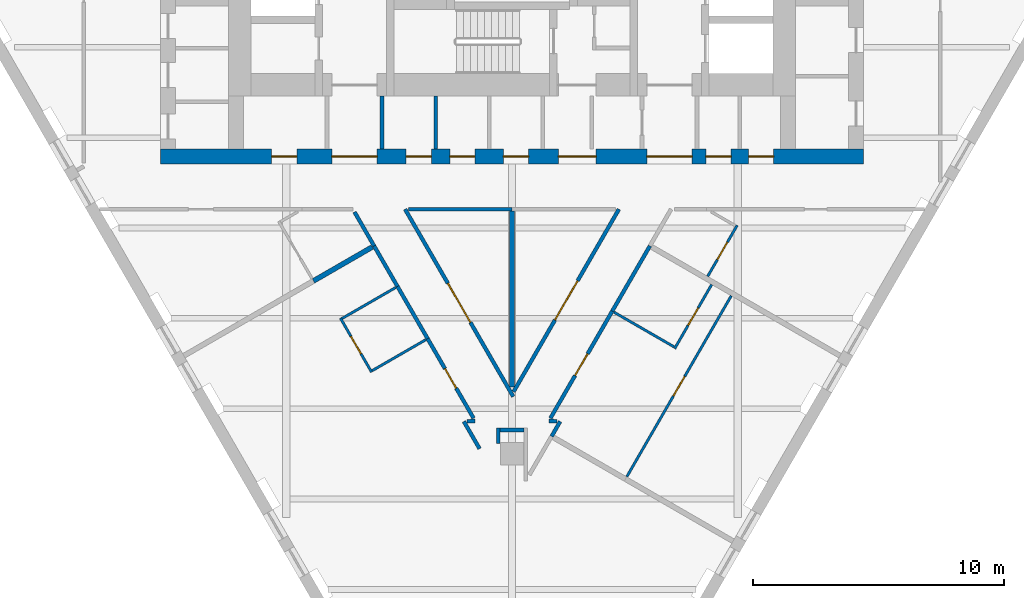
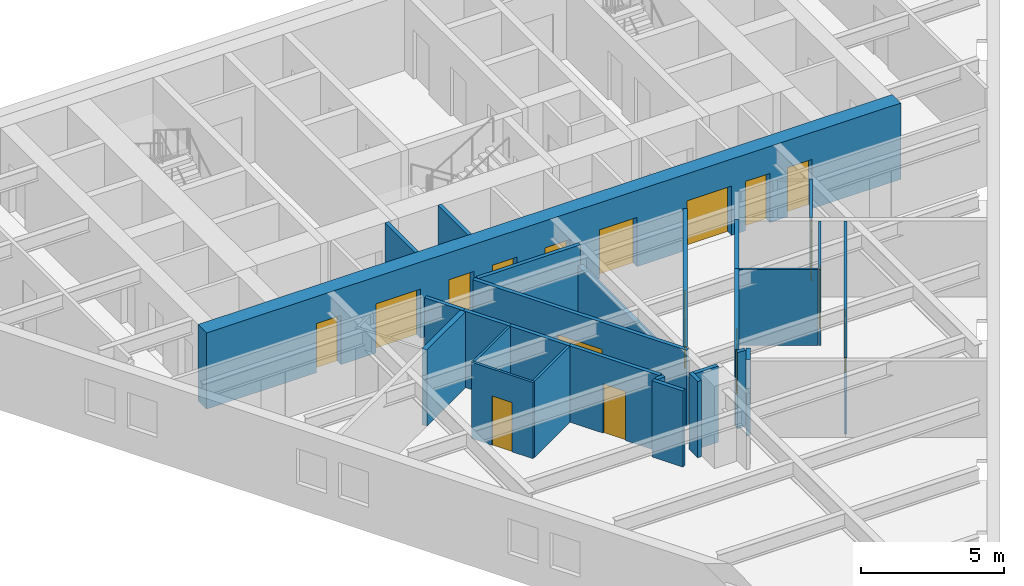
# One storey, part 3 of 9: 27 walls, 17 doors, 17 openings.
"""IFC4 building model written with IfcOpenShell, lengths in metres."""

from ifc_helpers import new_model, si_unit, direction, frame, frame_2d, origin, place, context, subcontext, project, spatial, rectangle, extrude, material, layer, layer_set, type_object, element, fill, save


model = new_model("IFC4")

# Units and contexts
model_context = context("Model", 3, precision=1e-05, world=origin(), true_north=direction((0.0, 1.0)))
body_context = subcontext(model_context, "Body", "Model", "MODEL_VIEW")
ifc_project = project(units=[si_unit("LENGTHUNIT", "METRE"), si_unit("AREAUNIT", "SQUARE_METRE"), si_unit("VOLUMEUNIT", "CUBIC_METRE"), si_unit("PLANEANGLEUNIT", "RADIAN"), si_unit("MASSUNIT", "GRAM", prefix="KILO")], contexts=[model_context])

# Site, building, storey
site_placement = place(None, origin())
site = spatial("IfcSite", under=ifc_project, at=site_placement, CompositionType="ELEMENT")
building_placement = place(site_placement, origin())
building = spatial("IfcBuilding", under=site, at=building_placement, Name="Aloe Facet Convention Tower", CompositionType="ELEMENT")
storey_placement = place(building_placement, frame((0.0, 0.0, 120.300048828125)))
storey = spatial("IfcBuildingStorey", under=building, at=storey_placement, Name="L30", CompositionType="ELEMENT", Elevation=120.300048828125)

# Walls
ifc_material_1 = material(Name="Concrete blockwork partition", Category="masonry")
ifc_layer_1 = layer(ifc_material_1, 0.14990234375)
ifc_layer_set_1 = layer_set([ifc_layer_1], Name="CR-W-PART150")
wall_type_1 = type_object("IfcWallType", Name="CR-W-PART150", PredefinedType="PARTITIONING", material=ifc_layer_set_1)
for number, where, z_axis, x_axis, name in (
    (1, (74.824951171875, 122.25, 0.0), (0.0, 0.0, 1.0), (0.0, -1.0, 0.0), "Core partition L30-018"),
    (2, (76.958251953125, 122.25, 0.0), (0.0, 0.0, 1.0), (0.0, -1.0, 0.0), "Core partition L30-024"),
):
    element("IfcWall", number, at=place(storey_placement, frame(where, z_axis=z_axis, x_axis=x_axis)), inside=storey, type_object=wall_type_1, Name=name, PredefinedType="PARTITIONING", context=body_context, shape_type="SweptSolid", body=[
        extrude(rectangle(XDim=2.10009765625, YDim=0.14990234375, at=frame_2d((1.050048828125, 0.0))), origin(), (0.0, 0.0, 1.0), 3.25),
    ])

# Wall, openings, doors
ifc_material_2 = material(Name="Concrete C70/85", Category="concrete")
ifc_layer_2 = layer(ifc_material_2, 0.60009765625)
ifc_layer_set_2 = layer_set([ifc_layer_2], Name="CR-W-RC600-C7085")
wall_type_2 = type_object("IfcWallType", Name="CR-W-RC600-C7085", PredefinedType="SOLIDWALL", material=ifc_layer_set_2)
wall_1_placement = place(storey_placement, frame((66.0, 119.85009765625, 0.0), z_axis=(0.0, 0.0, 1.0), x_axis=(1.0, 0.0, 0.0)))
wall_1 = element("IfcWall", 3, at=wall_1_placement, inside=storey, type_object=wall_type_2, Name="Core wall L30-003", PredefinedType="SOLIDWALL", context=body_context, shape_type="SweptSolid", body=[
    extrude(rectangle(XDim=28.0, YDim=0.60009765625, at=frame_2d((14.0, 0.0))), origin(), (0.0, 0.0, 1.0), 3.25),
])
opening_1_placement = place(wall_1_placement, frame((6.824951171875, 0.0, 0.0)))
opening_1 = element("IfcOpeningElement", 4, at=opening_1_placement, cuts=wall_1, Name="Opening L30-CD16", PredefinedType="OPENING", context=body_context, shape_type="SweptSolid", body=[
    extrude(rectangle(XDim=1.800048828125, YDim=2.10009765625, at=frame_2d((0.89990234375, 1.050048828125))), frame((0.0, 0.31005859375, 0.0), z_axis=(0.0, -1.0, 0.0), x_axis=(1.0, 0.0, 0.0)), (0.0, 0.0, 1.0), 0.6201171875),
])
opening_2_placement = place(wall_1_placement, frame((15.85009765625, 0.0, 0.0)))
opening_2 = element("IfcOpeningElement", 5, at=opening_2_placement, cuts=wall_1, Name="Opening L30-CD17", PredefinedType="OPENING", context=body_context, shape_type="SweptSolid", body=[
    extrude(rectangle(XDim=1.5, YDim=2.10009765625, at=frame_2d((0.75, 1.050048828125))), frame((0.0, 0.31005859375, 0.0), z_axis=(0.0, -1.0, 0.0), x_axis=(1.0, 0.0, 0.0)), (0.0, 0.0, 1.0), 0.6201171875),
])
opening_3_placement = place(wall_1_placement, frame((19.375, 0.0, 0.0)))
opening_3 = element("IfcOpeningElement", 6, at=opening_3_placement, cuts=wall_1, Name="Opening L30-CD18", PredefinedType="OPENING", context=body_context, shape_type="SweptSolid", body=[
    extrude(rectangle(XDim=1.800048828125, YDim=2.10009765625, at=frame_2d((0.89990234375, 1.050048828125))), frame((0.0, 0.31005859375, 0.0), z_axis=(0.0, -1.0, 0.0), x_axis=(1.0, 0.0, 0.0)), (0.0, 0.0, 1.0), 0.6201171875),
])
opening_4_placement = place(wall_1_placement, frame((4.425048828125, 0.0, 0.0)))
opening_4 = element("IfcOpeningElement", 7, at=opening_4_placement, cuts=wall_1, Name="Opening L30-CD23", PredefinedType="OPENING", context=body_context, shape_type="SweptSolid", body=[
    extrude(rectangle(XDim=1.0, YDim=2.10009765625, at=frame_2d((0.5, 1.050048828125))), frame((0.0, 0.31005859375, 0.0), z_axis=(0.0, -1.0, 0.0), x_axis=(1.0, 0.0, 0.0)), (0.0, 0.0, 1.0), 0.6201171875),
])
opening_5_placement = place(wall_1_placement, frame((9.783203125, 0.0, 0.0)))
opening_5 = element("IfcOpeningElement", 8, at=opening_5_placement, cuts=wall_1, Name="Opening L30-CD24", PredefinedType="OPENING", context=body_context, shape_type="SweptSolid", body=[
    extrude(rectangle(XDim=1.0, YDim=2.10009765625, at=frame_2d((0.5, 1.050048828125))), frame((0.0, 0.31005859375, 0.0), z_axis=(0.0, -1.0, 0.0), x_axis=(1.0, 0.0, 0.0)), (0.0, 0.0, 1.0), 0.6201171875),
])
opening_6_placement = place(wall_1_placement, frame((11.52490234375, 0.0, 0.0)))
opening_6 = element("IfcOpeningElement", 9, at=opening_6_placement, cuts=wall_1, Name="Opening L30-CD25", PredefinedType="OPENING", context=body_context, shape_type="SweptSolid", body=[
    extrude(rectangle(XDim=1.0, YDim=2.10009765625, at=frame_2d((0.5, 1.050048828125))), frame((0.0, 0.31005859375, 0.0), z_axis=(0.0, -1.0, 0.0), x_axis=(1.0, 0.0, 0.0)), (0.0, 0.0, 1.0), 0.6201171875),
])
opening_7_placement = place(wall_1_placement, frame((13.658203125, 0.0, 0.0)))
opening_7 = element("IfcOpeningElement", 10, at=opening_7_placement, cuts=wall_1, Name="Opening L30-CD26", PredefinedType="OPENING", context=body_context, shape_type="SweptSolid", body=[
    extrude(rectangle(XDim=1.0, YDim=2.10009765625, at=frame_2d((0.5, 1.050048828125))), frame((0.0, 0.31005859375, 0.0), z_axis=(0.0, -1.0, 0.0), x_axis=(1.0, 0.0, 0.0)), (0.0, 0.0, 1.0), 0.6201171875),
])
opening_8_placement = place(wall_1_placement, frame((21.72509765625, 0.0, 0.0)))
opening_8 = element("IfcOpeningElement", 11, at=opening_8_placement, cuts=wall_1, Name="Opening L30-CD28", PredefinedType="OPENING", context=body_context, shape_type="SweptSolid", body=[
    extrude(rectangle(XDim=1.0, YDim=2.10009765625, at=frame_2d((0.5, 1.050048828125))), frame((0.0, 0.31005859375, 0.0), z_axis=(0.0, -1.0, 0.0), x_axis=(1.0, 0.0, 0.0)), (0.0, 0.0, 1.0), 0.6201171875),
])
opening_9_placement = place(wall_1_placement, frame((23.425048828125, 0.0, 0.0)))
opening_9 = element("IfcOpeningElement", 12, at=opening_9_placement, cuts=wall_1, Name="Opening L30-CD29", PredefinedType="OPENING", context=body_context, shape_type="SweptSolid", body=[
    extrude(rectangle(XDim=1.0, YDim=2.10009765625, at=frame_2d((0.5, 1.050048828125))), frame((0.0, 0.31005859375, 0.0), z_axis=(0.0, -1.0, 0.0), x_axis=(1.0, 0.0, 0.0)), (0.0, 0.0, 1.0), 0.6201171875),
])
ifc_material_3 = material(Name="Steel fire-resisting door set FD60", Category="steel")
door_type_1 = type_object("IfcDoorType", Name="CR-D-EXIT-1500-FD60-DD", OperationType="DOUBLE_DOOR_DOUBLE_SWING", PredefinedType="DOOR", material=ifc_material_3)
door_1_placement = place(opening_2_placement, origin())
door_1 = element("IfcDoor", 13, at=door_1_placement, inside=storey, type_object=door_type_1, Name="Core door L30-CD17", OperationType="DOUBLE_DOOR_DOUBLE_SWING", OverallHeight=2.10009765625, OverallWidth=1.5, PredefinedType="DOOR", context=body_context, shape_type="SweptSolid", body=[
    extrude(rectangle(XDim=1.5, YDim=2.10009765625, at=frame_2d((0.75, 1.050048828125))), frame((0.0, 0.02490234375, 0.0), z_axis=(0.0, -1.0, 0.0), x_axis=(1.0, 0.0, 0.0)), (0.0, 0.0, 1.0), 0.050048828125),
])
fill(opening_2, door_1)
ifc_material_4 = material(Name="Steel fire-resisting door set FD60", Category="steel")
door_type_2 = type_object("IfcDoorType", Name="CR-D-EXIT-1800-FD60-DD", OperationType="DOUBLE_DOOR_DOUBLE_SWING", PredefinedType="DOOR", material=ifc_material_4)
door_2_placement = place(opening_1_placement, origin())
door_2 = element("IfcDoor", 14, at=door_2_placement, inside=storey, type_object=door_type_2, Name="Core door L30-CD16", OperationType="DOUBLE_DOOR_DOUBLE_SWING", OverallHeight=2.10009765625, OverallWidth=1.800048828125, PredefinedType="DOOR", context=body_context, shape_type="SweptSolid", body=[
    extrude(rectangle(XDim=1.800048828125, YDim=2.10009765625, at=frame_2d((0.89990234375, 1.050048828125))), frame((0.0, 0.02490234375, 0.0), z_axis=(0.0, -1.0, 0.0), x_axis=(1.0, 0.0, 0.0)), (0.0, 0.0, 1.0), 0.050048828125),
])
fill(opening_1, door_2)
door_3_placement = place(opening_3_placement, origin())
door_3 = element("IfcDoor", 15, at=door_3_placement, inside=storey, type_object=door_type_2, Name="Core door L30-CD18", OperationType="DOUBLE_DOOR_DOUBLE_SWING", OverallHeight=2.10009765625, OverallWidth=1.800048828125, PredefinedType="DOOR", context=body_context, shape_type="SweptSolid", body=[
    extrude(rectangle(XDim=1.800048828125, YDim=2.10009765625, at=frame_2d((0.89990234375, 1.050048828125))), frame((0.0, 0.02490234375, 0.0), z_axis=(0.0, -1.0, 0.0), x_axis=(1.0, 0.0, 0.0)), (0.0, 0.0, 1.0), 0.050048828125),
])
fill(opening_3, door_3)
ifc_material_5 = material(Name="Steel fire-resisting door set FD60", Category="steel")
door_type_3 = type_object("IfcDoorType", Name="CR-D-ROOM-1000-FD60-SRIGHT", OperationType="SINGLE_SWING_RIGHT", PredefinedType="DOOR", material=ifc_material_5)
door_4_placement = place(opening_4_placement, origin())
door_4 = element("IfcDoor", 16, at=door_4_placement, inside=storey, type_object=door_type_3, Name="Core door L30-CD23", OperationType="SINGLE_SWING_RIGHT", OverallHeight=2.10009765625, OverallWidth=1.0, PredefinedType="DOOR", context=body_context, shape_type="SweptSolid", body=[
    extrude(rectangle(XDim=1.0, YDim=2.10009765625, at=frame_2d((0.5, 1.050048828125))), frame((0.0, 0.02490234375, 0.0), z_axis=(0.0, -1.0, 0.0), x_axis=(1.0, 0.0, 0.0)), (0.0, 0.0, 1.0), 0.050048828125),
])
fill(opening_4, door_4)
door_5_placement = place(opening_5_placement, origin())
door_5 = element("IfcDoor", 17, at=door_5_placement, inside=storey, type_object=door_type_3, Name="Core door L30-CD24", OperationType="SINGLE_SWING_RIGHT", OverallHeight=2.10009765625, OverallWidth=1.0, PredefinedType="DOOR", context=body_context, shape_type="SweptSolid", body=[
    extrude(rectangle(XDim=1.0, YDim=2.10009765625, at=frame_2d((0.5, 1.050048828125))), frame((0.0, 0.02490234375, 0.0), z_axis=(0.0, -1.0, 0.0), x_axis=(1.0, 0.0, 0.0)), (0.0, 0.0, 1.0), 0.050048828125),
])
fill(opening_5, door_5)
door_6_placement = place(opening_6_placement, origin())
door_6 = element("IfcDoor", 18, at=door_6_placement, inside=storey, type_object=door_type_3, Name="Core door L30-CD25", OperationType="SINGLE_SWING_RIGHT", OverallHeight=2.10009765625, OverallWidth=1.0, PredefinedType="DOOR", context=body_context, shape_type="SweptSolid", body=[
    extrude(rectangle(XDim=1.0, YDim=2.10009765625, at=frame_2d((0.5, 1.050048828125))), frame((0.0, 0.02490234375, 0.0), z_axis=(0.0, -1.0, 0.0), x_axis=(1.0, 0.0, 0.0)), (0.0, 0.0, 1.0), 0.050048828125),
])
fill(opening_6, door_6)
door_7_placement = place(opening_7_placement, origin())
door_7 = element("IfcDoor", 19, at=door_7_placement, inside=storey, type_object=door_type_3, Name="Core door L30-CD26", OperationType="SINGLE_SWING_RIGHT", OverallHeight=2.10009765625, OverallWidth=1.0, PredefinedType="DOOR", context=body_context, shape_type="SweptSolid", body=[
    extrude(rectangle(XDim=1.0, YDim=2.10009765625, at=frame_2d((0.5, 1.050048828125))), frame((0.0, 0.02490234375, 0.0), z_axis=(0.0, -1.0, 0.0), x_axis=(1.0, 0.0, 0.0)), (0.0, 0.0, 1.0), 0.050048828125),
])
fill(opening_7, door_7)
door_8_placement = place(opening_8_placement, origin())
door_8 = element("IfcDoor", 20, at=door_8_placement, inside=storey, type_object=door_type_3, Name="Core door L30-CD28", OperationType="SINGLE_SWING_RIGHT", OverallHeight=2.10009765625, OverallWidth=1.0, PredefinedType="DOOR", context=body_context, shape_type="SweptSolid", body=[
    extrude(rectangle(XDim=1.0, YDim=2.10009765625, at=frame_2d((0.5, 1.050048828125))), frame((0.0, 0.02490234375, 0.0), z_axis=(0.0, -1.0, 0.0), x_axis=(1.0, 0.0, 0.0)), (0.0, 0.0, 1.0), 0.050048828125),
])
fill(opening_8, door_8)
door_9_placement = place(opening_9_placement, origin())
door_9 = element("IfcDoor", 21, at=door_9_placement, inside=storey, type_object=door_type_3, Name="Core door L30-CD29", OperationType="SINGLE_SWING_RIGHT", OverallHeight=2.10009765625, OverallWidth=1.0, PredefinedType="DOOR", context=body_context, shape_type="SweptSolid", body=[
    extrude(rectangle(XDim=1.0, YDim=2.10009765625, at=frame_2d((0.5, 1.050048828125))), frame((0.0, 0.02490234375, 0.0), z_axis=(0.0, -1.0, 0.0), x_axis=(1.0, 0.0, 0.0)), (0.0, 0.0, 1.0), 0.050048828125),
])
fill(opening_9, door_9)

# Walls
ifc_material_6 = material(Name="Gypsum board partition on steel studs", Category="steel")
ifc_layer_3 = layer(ifc_material_6, 0.14990234375)
ifc_layer_set_3 = layer_set([ifc_layer_3], Name="IN-W-CORR")
wall_type_3 = type_object("IfcWallType", Name="IN-W-CORR", PredefinedType="PARTITIONING", material=ifc_layer_set_3)
wall_2_placement = place(storey_placement, frame((78.081787109375, 109.29296875, 0.0), z_axis=(0.0, 0.0, 1.0), x_axis=(0.500020799843, -0.866013394656, 0.0)))
element("IfcWall", 22, at=wall_2_placement, inside=storey, type_object=wall_type_3, Name="Partition L30-W004", PredefinedType="PARTITIONING", context=body_context, shape_type="SweptSolid", body=[
    extrude(rectangle(XDim=1.25146484375, YDim=0.14990234375, at=frame_2d((0.625732421875, 0.0))), origin(), (0.0, 0.0, 1.0), 3.25),
])
wall_3_placement = place(storey_placement, frame((81.576416015625, 108.69873046875, 0.0), z_axis=(0.0, 0.0, 1.0), x_axis=(0.499845467243, 0.866114604932, 0.0)))
element("IfcWall", 23, at=wall_3_placement, inside=storey, type_object=wall_type_3, Name="Partition L30-W006", PredefinedType="PARTITIONING", context=body_context, shape_type="SweptSolid", body=[
    extrude(rectangle(XDim=0.687255859375, YDim=0.14990234375, at=frame_2d((0.34375, 0.0))), origin(), (0.0, 0.0, 1.0), 3.25),
])
wall_4_placement = place(storey_placement, frame((79.449951171875, 108.408203125, 0.0), z_axis=(0.0, 0.0, 1.0), x_axis=(0.0, 1.0, 0.0)))
element("IfcWall", 24, at=wall_4_placement, inside=storey, type_object=wall_type_3, Name="Partition L30-W007", PredefinedType="PARTITIONING", context=body_context, shape_type="SweptSolid", body=[
    extrude(rectangle(XDim=0.61669921875, YDim=0.14990234375, at=frame_2d((0.308349609375, 0.0))), origin(), (0.0, 0.0, 1.0), 3.25),
])
wall_5_placement = place(storey_placement, frame((79.52490234375, 108.949951171875, 0.0), z_axis=(0.0, 0.0, 1.0), x_axis=(1.0, 0.0, 0.0)))
element("IfcWall", 25, at=wall_5_placement, inside=storey, type_object=wall_type_3, Name="Partition L30-W008", PredefinedType="PARTITIONING", context=body_context, shape_type="SweptSolid", body=[
    extrude(rectangle(XDim=0.9501953125, YDim=0.14990234375, at=frame_2d((0.47509765625, 0.0))), origin(), (0.0, 0.0, 1.0), 3.25),
])
wall_6_placement = place(storey_placement, frame((78.20458984375, 109.298828125, 0.0), z_axis=(0.0, 0.0, 1.0), x_axis=(0.998783807783, 0.049304211903, 0.0)))
element("IfcWall", 26, at=wall_6_placement, inside=storey, type_object=wall_type_3, Name="Partition L30-W009", PredefinedType="PARTITIONING", context=body_context, shape_type="SweptSolid", body=[
    extrude(rectangle(XDim=0.326904296875, YDim=0.14990234375, at=frame_2d((0.16357421875, 0.0))), origin(), (0.0, 0.0, 1.0), 3.25),
])
wall_7_placement = place(storey_placement, frame((81.469482421875, 109.31591796875, 0.0), z_axis=(0.0, 0.0, 1.0), x_axis=(0.998792837062, -0.0491209592, 0.0)))
element("IfcWall", 27, at=wall_7_placement, inside=storey, type_object=wall_type_3, Name="Partition L30-W010", PredefinedType="PARTITIONING", context=body_context, shape_type="SweptSolid", body=[
    extrude(rectangle(XDim=0.328125, YDim=0.14990234375, at=frame_2d((0.1640625, 0.0))), origin(), (0.0, 0.0, 1.0), 3.25),
])

# Wall, opening, door
wall_8_placement = place(storey_placement, frame((76.63916015625, 112.591552734375, 0.0), z_axis=(0.0, 0.0, 1.0), x_axis=(0.500005339912, -0.866022320763, 0.0)))
wall_8 = element("IfcWall", 28, at=wall_8_placement, inside=storey, type_object=wall_type_3, Name="Partition L30-W011", PredefinedType="PARTITIONING", context=body_context, shape_type="SweptSolid", body=[
    extrude(rectangle(XDim=3.66064453125, YDim=0.14990234375, at=frame_2d((1.830322265625, 0.0))), origin(), (0.0, 0.0, 1.0), 3.25),
])
opening_10_placement = place(wall_8_placement, frame((1.38037109375, 0.0, 0.0)))
opening_10 = element("IfcOpeningElement", 29, at=opening_10_placement, cuts=wall_8, Name="Opening L30-003", PredefinedType="OPENING", context=body_context, shape_type="SweptSolid", body=[
    extrude(rectangle(XDim=0.89990234375, YDim=2.10009765625, at=frame_2d((0.449951171875, 1.050048828125))), frame((0.0, 0.0849609375, 0.0), z_axis=(0.0, -1.0, 0.0), x_axis=(1.0, 0.0, 0.0)), (0.0, 0.0, 1.0), 0.169921875),
])
ifc_material_7 = material(Name="Hardwood flush door FD30S", Category="wood")
door_type_4 = type_object("IfcDoorType", Name="IN-D-GUEST", OperationType="SINGLE_SWING_LEFT", PredefinedType="DOOR", material=ifc_material_7)
door_10_placement = place(opening_10_placement, origin())
door_10 = element("IfcDoor", 30, at=door_10_placement, inside=storey, type_object=door_type_4, Name="Door L30-003", OperationType="SINGLE_SWING_LEFT", OverallHeight=2.10009765625, OverallWidth=0.89990234375, PredefinedType="DOOR", context=body_context, shape_type="SweptSolid", body=[
    extrude(rectangle(XDim=0.89990234375, YDim=2.10009765625, at=frame_2d((0.449951171875, 1.050048828125))), frame((0.0, 0.02490234375, 0.0), z_axis=(0.0, -1.0, 0.0), x_axis=(1.0, 0.0, 0.0)), (0.0, 0.0, 1.0), 0.050048828125),
])
fill(opening_10, door_10)

wall_9_placement = place(storey_placement, frame((81.531005859375, 109.42236328125, 0.0), z_axis=(0.0, 0.0, 1.0), x_axis=(0.500009969958, 0.86601964755, 0.0)))
wall_9 = element("IfcWall", 31, at=wall_9_placement, inside=storey, type_object=wall_type_3, Name="Partition L30-W012", PredefinedType="PARTITIONING", context=body_context, shape_type="SweptSolid", body=[
    extrude(rectangle(XDim=4.9248046875, YDim=0.14990234375, at=frame_2d((2.46240234375, 0.0))), origin(), (0.0, 0.0, 1.0), 3.25),
])
opening_11_placement = place(wall_9_placement, frame((1.96240234375, 0.0, 0.0)))
opening_11 = element("IfcOpeningElement", 32, at=opening_11_placement, cuts=wall_9, Name="Opening L30-008", PredefinedType="OPENING", context=body_context, shape_type="SweptSolid", body=[
    extrude(rectangle(XDim=1.0, YDim=2.10009765625, at=frame_2d((0.5, 1.050048828125))), frame((0.0, 0.0849609375, 0.0), z_axis=(0.0, -1.0, 0.0), x_axis=(1.0, 0.0, 0.0)), (0.0, 0.0, 1.0), 0.169921875),
])
ifc_material_8 = material(Name="Hardwood flush door FD30S", Category="wood")
door_type_5 = type_object("IfcDoorType", Name="IN-D-WIDE", OperationType="SINGLE_SWING_LEFT", PredefinedType="DOOR", material=ifc_material_8)
door_11_placement = place(opening_11_placement, origin())
door_11 = element("IfcDoor", 33, at=door_11_placement, inside=storey, type_object=door_type_5, Name="Door L30-008", OperationType="SINGLE_SWING_LEFT", OverallHeight=2.10009765625, OverallWidth=1.0, PredefinedType="DOOR", context=body_context, shape_type="SweptSolid", body=[
    extrude(rectangle(XDim=1.0, YDim=2.10009765625, at=frame_2d((0.5, 1.050048828125))), frame((0.0, 0.02490234375, 0.0), z_axis=(0.0, -1.0, 0.0), x_axis=(1.0, 0.0, 0.0)), (0.0, 0.0, 1.0), 0.050048828125),
])
fill(opening_11, door_11)

wall_10_placement = place(storey_placement, frame((75.739501953125, 117.75, 0.0), z_axis=(0.0, 0.0, 1.0), x_axis=(0.500001092079, -0.866024773271, 0.0)))
wall_10 = element("IfcWall", 34, at=wall_10_placement, inside=storey, type_object=wall_type_3, Name="Partition L30-W013", PredefinedType="PARTITIONING", context=body_context, shape_type="SweptSolid", body=[
    extrude(rectangle(XDim=8.62109375, YDim=0.14990234375, at=frame_2d((4.310546875, 0.0))), origin(), (0.0, 0.0, 1.0), 3.25),
])
opening_12_placement = place(wall_10_placement, frame((3.41064453125, 0.0, 0.0)))
opening_12 = element("IfcOpeningElement", 35, at=opening_12_placement, cuts=wall_10, Name="Opening L30-006", PredefinedType="OPENING", context=body_context, shape_type="SweptSolid", body=[
    extrude(rectangle(XDim=1.800048828125, YDim=2.10009765625, at=frame_2d((0.89990234375, 1.050048828125))), frame((0.0, 0.0849609375, 0.0), z_axis=(0.0, -1.0, 0.0), x_axis=(1.0, 0.0, 0.0)), (0.0, 0.0, 1.0), 0.169921875),
])
ifc_material_9 = material(Name="Timber flush door pair", Category="wood")
door_type_6 = type_object("IfcDoorType", Name="IN-D-PAIR-U", OperationType="DOUBLE_DOOR_SINGLE_SWING", PredefinedType="DOOR", material=ifc_material_9)
door_12_placement = place(opening_12_placement, origin())
door_12 = element("IfcDoor", 36, at=door_12_placement, inside=storey, type_object=door_type_6, Name="Door L30-006", OperationType="SINGLE_SWING_LEFT", OverallHeight=2.10009765625, OverallWidth=1.800048828125, PredefinedType="DOOR", context=body_context, shape_type="SweptSolid", body=[
    extrude(rectangle(XDim=1.800048828125, YDim=2.10009765625, at=frame_2d((0.89990234375, 1.050048828125))), frame((0.0, 0.02490234375, 0.0), z_axis=(0.0, -1.0, 0.0), x_axis=(1.0, 0.0, 0.0)), (0.0, 0.0, 1.0), 0.050048828125),
])
fill(opening_12, door_12)

wall_11_placement = place(storey_placement, frame((80.0625, 110.478759765625, 0.0), z_axis=(0.0, 0.0, 1.0), x_axis=(0.49999513524, 0.866028212437, 0.0)))
wall_11 = element("IfcWall", 37, at=wall_11_placement, inside=storey, type_object=wall_type_3, Name="Partition L30-W015", PredefinedType="PARTITIONING", context=body_context, shape_type="SweptSolid", body=[
    extrude(rectangle(XDim=8.39599609375, YDim=0.14990234375, at=frame_2d((4.197998046875, 0.0))), origin(), (0.0, 0.0, 1.0), 3.25),
])
opening_13_placement = place(wall_11_placement, frame((3.298095703125, 0.0, 0.0)))
opening_13 = element("IfcOpeningElement", 38, at=opening_13_placement, cuts=wall_11, Name="Opening L30-007", PredefinedType="OPENING", context=body_context, shape_type="SweptSolid", body=[
    extrude(rectangle(XDim=1.800048828125, YDim=2.10009765625, at=frame_2d((0.89990234375, 1.050048828125))), frame((0.0, 0.0849609375, 0.0), z_axis=(0.0, -1.0, 0.0), x_axis=(1.0, 0.0, 0.0)), (0.0, 0.0, 1.0), 0.169921875),
])
door_13_placement = place(opening_13_placement, origin())
door_13 = element("IfcDoor", 39, at=door_13_placement, inside=storey, type_object=door_type_6, Name="Door L30-007", OperationType="SINGLE_SWING_LEFT", OverallHeight=2.10009765625, OverallWidth=1.800048828125, PredefinedType="DOOR", context=body_context, shape_type="SweptSolid", body=[
    extrude(rectangle(XDim=1.800048828125, YDim=2.10009765625, at=frame_2d((0.89990234375, 1.050048828125))), frame((0.0, 0.02490234375, 0.0), z_axis=(0.0, -1.0, 0.0), x_axis=(1.0, 0.0, 0.0)), (0.0, 0.0, 1.0), 0.050048828125),
])
fill(opening_13, door_13)

# Walls
wall_12_placement = place(storey_placement, frame((83.993408203125, 113.687255859375, 0.0), z_axis=(0.0, 0.0, 1.0), x_axis=(0.50002537861, 0.866010750942, 0.0)))
element("IfcWall", 40, at=wall_12_placement, inside=storey, type_object=wall_type_3, Name="Partition L30-W023", PredefinedType="PARTITIONING", context=body_context, shape_type="SweptSolid", body=[
    extrude(rectangle(XDim=2.999755859375, YDim=0.14990234375, at=frame_2d((1.5, 0.0))), origin(), (0.0, 0.0, 1.0), 3.25),
])
wall_13_placement = place(storey_placement, frame((74.506591796875, 116.28515625, 0.0), z_axis=(0.0, 0.0, 1.0), x_axis=(0.499998297855, -0.866026386516, 0.0)))
element("IfcWall", 41, at=wall_13_placement, inside=storey, type_object=wall_type_3, Name="Partition L30-W025", PredefinedType="PARTITIONING", context=body_context, shape_type="SweptSolid", body=[
    extrude(rectangle(XDim=1.8642578125, YDim=0.14990234375, at=frame_2d((0.93212890625, 0.0))), origin(), (0.0, 0.0, 1.0), 3.25),
])
wall_14_placement = place(storey_placement, frame((75.438720703125, 114.670654296875, 0.0), z_axis=(0.0, 0.0, 1.0), x_axis=(0.500021744807, -0.86601284905, 0.0)))
element("IfcWall", 42, at=wall_14_placement, inside=storey, type_object=wall_type_3, Name="Partition L30-W026", PredefinedType="PARTITIONING", context=body_context, shape_type="SweptSolid", body=[
    extrude(rectangle(XDim=2.40087890625, YDim=0.14990234375, at=frame_2d((1.200439453125, 0.0))), origin(), (0.0, 0.0, 1.0), 3.25),
])
wall_15_placement = place(storey_placement, frame((73.725830078125, 117.637451171875, 0.0), z_axis=(0.0, 0.0, 1.0), x_axis=(0.5000066674, -0.866021554325, 0.0)))
element("IfcWall", 43, at=wall_15_placement, inside=storey, type_object=wall_type_3, Name="Partition L30-W047", PredefinedType="PARTITIONING", context=body_context, shape_type="SweptSolid", body=[
    extrude(rectangle(XDim=1.5615234375, YDim=0.14990234375, at=frame_2d((0.78076171875, 0.0))), origin(), (0.0, 0.0, 1.0), 3.25),
])
wall_16_placement = place(storey_placement, frame((75.869384765625, 117.75, 0.0), z_axis=(0.0, 0.0, 1.0), x_axis=(1.0, 0.0, 0.0)))
element("IfcWall", 44, at=wall_16_placement, inside=storey, type_object=wall_type_3, Name="Partition L30-W048", PredefinedType="PARTITIONING", context=body_context, shape_type="SweptSolid", body=[
    extrude(rectangle(XDim=4.130615234375, YDim=0.14990234375, at=frame_2d((2.0654296875, 0.0))), origin(), (0.0, 0.0, 1.0), 3.25),
])

# Wall, opening, door
ifc_material_10 = material(Name="Gypsum board partition on steel studs", Category="steel")
ifc_layer_4 = layer(ifc_material_10, 0.10009765625)
ifc_layer_set_4 = layer_set([ifc_layer_4], Name="IN-W-PART")
wall_type_4 = type_object("IfcWallType", Name="IN-W-PART", PredefinedType="PARTITIONING", material=ifc_layer_set_4)
wall_17_placement = place(storey_placement, frame((73.162109375, 113.4140625, 0.0), z_axis=(0.0, 0.0, 1.0), x_axis=(0.50001949124, -0.86601415022, 0.0)))
wall_17 = element("IfcWall", 45, at=wall_17_placement, inside=storey, type_object=wall_type_4, Name="Partition L30-W016", PredefinedType="PARTITIONING", context=body_context, shape_type="SweptSolid", body=[
    extrude(rectangle(XDim=2.490234375, YDim=0.10009765625, at=frame_2d((1.2451171875, 0.0))), origin(), (0.0, 0.0, 1.0), 3.25),
])
opening_14_placement = place(wall_17_placement, frame((0.844970703125, 0.0, 0.0)))
opening_14 = element("IfcOpeningElement", 46, at=opening_14_placement, cuts=wall_17, Name="Opening L30-011", PredefinedType="OPENING", context=body_context, shape_type="SweptSolid", body=[
    extrude(rectangle(XDim=0.800048828125, YDim=2.10009765625, at=frame_2d((0.39990234375, 1.050048828125))), frame((0.0, 0.06005859375, 0.0), z_axis=(0.0, -1.0, 0.0), x_axis=(1.0, 0.0, 0.0)), (0.0, 0.0, 1.0), 0.1201171875),
])
ifc_material_11 = material(Name="Timber flush door", Category="wood")
door_type_7 = type_object("IfcDoorType", Name="IN-D-BATH", OperationType="SINGLE_SWING_LEFT", PredefinedType="DOOR", material=ifc_material_11)
door_14_placement = place(opening_14_placement, origin())
door_14 = element("IfcDoor", 47, at=door_14_placement, inside=storey, type_object=door_type_7, Name="Door L30-011", OperationType="SINGLE_SWING_LEFT", OverallHeight=2.10009765625, OverallWidth=0.800048828125, PredefinedType="DOOR", context=body_context, shape_type="SweptSolid", body=[
    extrude(rectangle(XDim=0.800048828125, YDim=2.10009765625, at=frame_2d((0.39990234375, 1.050048828125))), frame((0.0, 0.02490234375, 0.0), z_axis=(0.0, -1.0, 0.0), x_axis=(1.0, 0.0, 0.0)), (0.0, 0.0, 1.0), 0.050048828125),
])
fill(opening_14, door_14)

wall_18_placement = place(storey_placement, frame((86.479736328125, 112.19384765625, 0.0), z_axis=(0.0, 0.0, 1.0), x_axis=(0.500001826776, 0.866024349092, 0.0)))
wall_18 = element("IfcWall", 48, at=wall_18_placement, inside=storey, type_object=wall_type_4, Name="Partition L30-W019", PredefinedType="PARTITIONING", context=body_context, shape_type="SweptSolid", body=[
    extrude(rectangle(XDim=2.9501953125, YDim=0.10009765625, at=frame_2d((1.47509765625, 0.0))), origin(), (0.0, 0.0, 1.0), 3.25),
])
opening_15_placement = place(wall_18_placement, frame((1.074951171875, 0.0, 0.0)))
opening_15 = element("IfcOpeningElement", 49, at=opening_15_placement, cuts=wall_18, Name="Opening L30-012", PredefinedType="OPENING", context=body_context, shape_type="SweptSolid", body=[
    extrude(rectangle(XDim=0.800048828125, YDim=2.10009765625, at=frame_2d((0.39990234375, 1.050048828125))), frame((0.0, 0.06005859375, 0.0), z_axis=(0.0, -1.0, 0.0), x_axis=(1.0, 0.0, 0.0)), (0.0, 0.0, 1.0), 0.1201171875),
])
door_15_placement = place(opening_15_placement, origin())
door_15 = element("IfcDoor", 50, at=door_15_placement, inside=storey, type_object=door_type_7, Name="Door L30-012", OperationType="SINGLE_SWING_LEFT", OverallHeight=2.10009765625, OverallWidth=0.800048828125, PredefinedType="DOOR", context=body_context, shape_type="SweptSolid", body=[
    extrude(rectangle(XDim=0.800048828125, YDim=2.10009765625, at=frame_2d((0.39990234375, 1.050048828125))), frame((0.0, 0.02490234375, 0.0), z_axis=(0.0, -1.0, 0.0), x_axis=(1.0, 0.0, 0.0)), (0.0, 0.0, 1.0), 0.050048828125),
])
fill(opening_15, door_15)

# Walls
for number, where, z_axis, x_axis, name in (
    (51, (74.430419921875, 111.317138671875, 0.0), (0.0, 0.0, 1.0), (0.866175693193, 0.499739600715, 0.0), "Partition L30-W020"),
    (52, (73.23046875, 113.395751953125, 0.0), (0.0, 0.0, 1.0), (0.866040446274, 0.499973944738, 0.0), "Partition L30-W021"),
):
    element("IfcWall", number, at=place(storey_placement, frame(where, z_axis=z_axis, x_axis=x_axis)), inside=storey, type_object=wall_type_4, Name=name, PredefinedType="PARTITIONING", context=body_context, shape_type="SweptSolid", body=[
        extrude(rectangle(XDim=2.465087890625, YDim=0.10009765625, at=frame_2d((1.232421875, 0.0))), origin(), (0.0, 0.0, 1.0), 3.25),
    ])
wall_19_placement = place(storey_placement, frame((84.06689453125, 113.644775390625, 0.0), z_axis=(0.0, 0.0, 1.0), x_axis=(0.866004076171, -0.500036938691, 0.0)))
element("IfcWall", 53, at=wall_19_placement, inside=storey, type_object=wall_type_4, Name="Partition L30-W022", PredefinedType="PARTITIONING", context=body_context, shape_type="SweptSolid", body=[
    extrude(rectangle(XDim=2.755126953125, YDim=0.10009765625, at=frame_2d((1.37744140625, 0.0))), origin(), (0.0, 0.0, 1.0), 3.25),
])

# Wall, opening, door
wall_20_placement = place(storey_placement, frame((84.574951171875, 107.094482421875, 0.0), z_axis=(0.0, 0.0, 1.0), x_axis=(0.499990056298, 0.866031144707, 0.0)))
wall_20 = element("IfcWall", 54, at=wall_20_placement, inside=storey, type_object=wall_type_4, Name="Partition L30-W024", PredefinedType="PARTITIONING", context=body_context, shape_type="SweptSolid", body=[
    extrude(rectangle(XDim=8.318603515625, YDim=0.10009765625, at=frame_2d((4.1591796875, 0.0))), origin(), (0.0, 0.0, 1.0), 3.25),
])
opening_16_placement = place(wall_20_placement, frame((3.709228515625, 0.0, 0.0)))
opening_16 = element("IfcOpeningElement", 55, at=opening_16_placement, cuts=wall_20, Name="Opening L30-013", PredefinedType="OPENING", context=body_context, shape_type="SweptSolid", body=[
    extrude(rectangle(XDim=0.89990234375, YDim=2.10009765625, at=frame_2d((0.449951171875, 1.050048828125))), frame((0.0, 0.06005859375, 0.0), z_axis=(0.0, -1.0, 0.0), x_axis=(1.0, 0.0, 0.0)), (0.0, 0.0, 1.0), 0.1201171875),
])
ifc_material_12 = material(Name="Timber flush door", Category="wood")
door_type_8 = type_object("IfcDoorType", Name="IN-D-INT", OperationType="SINGLE_SWING_LEFT", PredefinedType="DOOR", material=ifc_material_12)
door_16_placement = place(opening_16_placement, origin())
door_16 = element("IfcDoor", 56, at=door_16_placement, inside=storey, type_object=door_type_8, Name="Door L30-013", OperationType="SINGLE_SWING_LEFT", OverallHeight=2.10009765625, OverallWidth=0.89990234375, PredefinedType="DOOR", context=body_context, shape_type="SweptSolid", body=[
    extrude(rectangle(XDim=0.89990234375, YDim=2.10009765625, at=frame_2d((0.449951171875, 1.050048828125))), frame((0.0, 0.02490234375, 0.0), z_axis=(0.0, -1.0, 0.0), x_axis=(1.0, 0.0, 0.0)), (0.0, 0.0, 1.0), 0.050048828125),
])
fill(opening_16, door_16)

wall_21_placement = place(storey_placement, frame((87.794921875, 115.07177734375, 0.0), z_axis=(0.0, 0.0, 1.0), x_axis=(0.500016218704, 0.866016039709, 0.0)))
wall_21 = element("IfcWall", 57, at=wall_21_placement, inside=storey, type_object=wall_type_4, Name="Partition L30-W043", PredefinedType="PARTITIONING", context=body_context, shape_type="SweptSolid", body=[
    extrude(rectangle(XDim=2.35009765625, YDim=0.10009765625, at=frame_2d((1.175048828125, 0.0))), origin(), (0.0, 0.0, 1.0), 3.25),
])
opening_17_placement = place(wall_21_placement, frame((0.77490234375, 0.0, 0.0)))
opening_17 = element("IfcOpeningElement", 58, at=opening_17_placement, cuts=wall_21, Name="Opening L30-014", PredefinedType="OPENING", context=body_context, shape_type="SweptSolid", body=[
    extrude(rectangle(XDim=0.800048828125, YDim=2.10009765625, at=frame_2d((0.39990234375, 1.050048828125))), frame((0.0, 0.06005859375, 0.0), z_axis=(0.0, -1.0, 0.0), x_axis=(1.0, 0.0, 0.0)), (0.0, 0.0, 1.0), 0.1201171875),
])
door_17_placement = place(opening_17_placement, origin())
door_17 = element("IfcDoor", 59, at=door_17_placement, inside=storey, type_object=door_type_7, Name="Door L30-014", OperationType="SINGLE_SWING_LEFT", OverallHeight=2.10009765625, OverallWidth=0.800048828125, PredefinedType="DOOR", context=body_context, shape_type="SweptSolid", body=[
    extrude(rectangle(XDim=0.800048828125, YDim=2.10009765625, at=frame_2d((0.39990234375, 1.050048828125))), frame((0.0, 0.02490234375, 0.0), z_axis=(0.0, -1.0, 0.0), x_axis=(1.0, 0.0, 0.0)), (0.0, 0.0, 1.0), 0.050048828125),
])
fill(opening_17, door_17)

# Walls
ifc_material_13 = material(Name="Gypsum board partition on steel studs", Category="steel")
ifc_layer_5 = layer(ifc_material_13, 0.199951171875)
ifc_layer_set_5 = layer_set([ifc_layer_5], Name="IN-W-PARTY")
wall_type_5 = type_object("IfcWallType", Name="IN-W-PARTY", PredefinedType="PARTITIONING", material=ifc_layer_set_5)
wall_22_placement = place(storey_placement, frame((80.0, 110.66552734375, 0.0), z_axis=(0.0, 0.0, 1.0), x_axis=(0.0, 1.0, 0.0)))
element("IfcWall", 60, at=wall_22_placement, inside=storey, type_object=wall_type_5, Name="Partition L30-W014", PredefinedType="PARTITIONING", context=body_context, shape_type="SweptSolid", body=[
    extrude(rectangle(XDim=7.009521484375, YDim=0.199951171875, at=frame_2d((3.5048828125, 0.0))), origin(), (0.0, 0.0, 1.0), 2.38916015625),
])
wall_23_placement = place(storey_placement, frame((72.09033203125, 114.890380859375, 0.0), z_axis=(0.0, 0.0, 1.0), x_axis=(0.866074375271, 0.499915169302, 0.0)))
element("IfcWall", 61, at=wall_23_placement, inside=storey, type_object=wall_type_5, Name="Partition L30-W035", PredefinedType="PARTITIONING", context=body_context, shape_type="SweptSolid", body=[
    extrude(rectangle(XDim=2.705078125, YDim=0.199951171875, at=frame_2d((1.3525390625, 0.0))), origin(), (0.0, 0.0, 1.0), 3.25),
])

save(model, "model.ifc")
